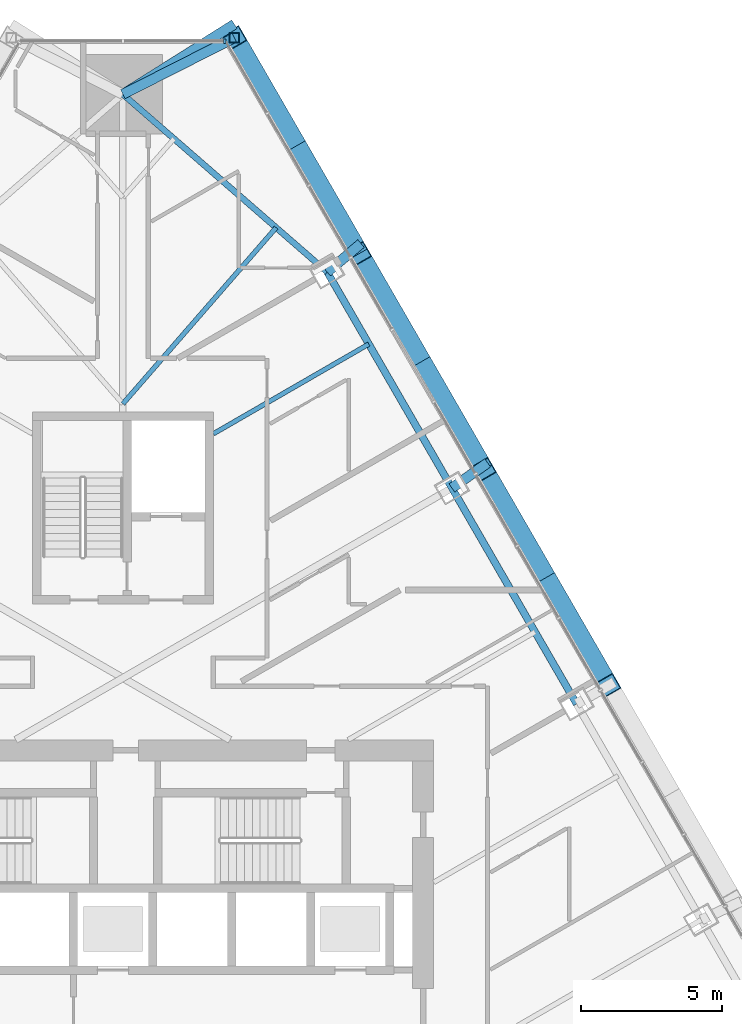
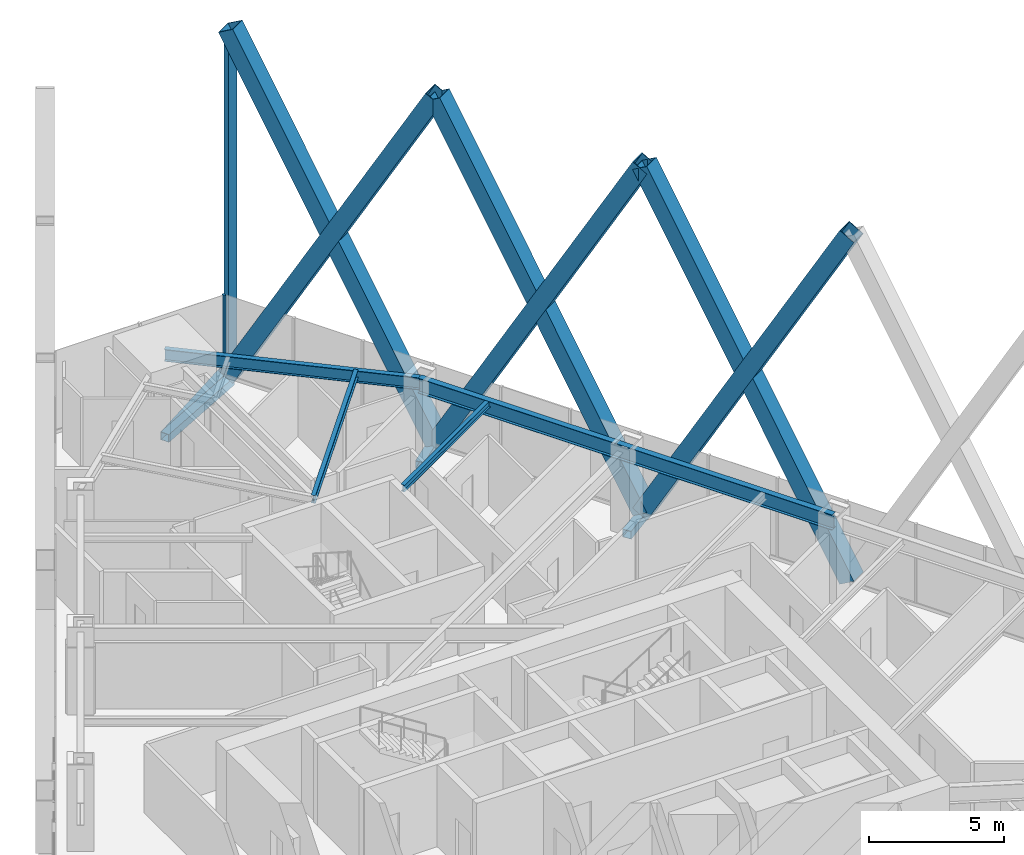
# One storey, part 11 of 19: 12 members, 4 beams, 1 element without a shape of its own.
"""IFC4 building model written with IfcOpenShell, lengths in metres."""

from ifc_helpers import new_model, si_unit, direction, frame, origin, origin_2d, place, context, subcontext, project, spatial, rectangle, hollow_rectangle, i_section, extrude, material, layer, layer_set, material_profile, profile_set, type_object, element, aggregate, save


model = new_model("IFC4")

# Units and contexts
model_context = context("Model", 3, precision=1e-05, world=origin(), true_north=direction((0.0, 1.0)))
body_context = subcontext(model_context, "Body", "Model", "MODEL_VIEW")
ifc_project = project(units=[si_unit("LENGTHUNIT", "METRE"), si_unit("AREAUNIT", "SQUARE_METRE"), si_unit("VOLUMEUNIT", "CUBIC_METRE"), si_unit("PLANEANGLEUNIT", "RADIAN"), si_unit("MASSUNIT", "GRAM", prefix="KILO")], contexts=[model_context])

# Site, building, storey
site_placement = place(None, origin())
site = spatial("IfcSite", under=ifc_project, at=site_placement, CompositionType="ELEMENT")
building_placement = place(site_placement, origin())
building = spatial("IfcBuilding", under=site, at=building_placement, Name="Firuza Gate Tower and Library", CompositionType="ELEMENT")
storey_placement = place(building_placement, frame((0.0, 0.0, 187.0)))
storey = spatial("IfcBuildingStorey", under=building, at=storey_placement, Name="L43", CompositionType="ELEMENT", Elevation=187.0)

# Members
ifc_material_1 = material(Name="Steel S355", Category="steel")
ifc_material_profile_1 = material_profile(ifc_material_1, hollow_rectangle(XDim=0.699951171875, YDim=0.699951171875, WallThickness=0.030029296875, at=origin_2d()))
ifc_profile_set_1 = profile_set([ifc_material_profile_1], Name="Steel S355")
member_type_1 = type_object("IfcMemberType", Name="BU700x700x30 Lattice brace", PredefinedType="BRACE", material=ifc_profile_set_1)
for number, where, z_axis, x_axis, name in (
    (1, (92.18212890625, 84.920166015625, 0.0), (-0.246161322195, 0.426365413352, 0.870412050556), (-0.866026163676, -0.499998683827, 0.0), "Lattice brace E 10.4R"),
    (2, (87.770263671875, 92.561767578125, 0.0), (0.246161322195, -0.426365413352, 0.870412050556), (0.866026163676, 0.499998683827, 0.0), "Lattice brace E 10.4L"),
):
    element("IfcMember", number, at=place(storey_placement, frame(where, z_axis=z_axis, x_axis=x_axis)), inside=storey, type_object=member_type_1, Name=name, PredefinedType="BRACE", context=body_context, shape_type="SweptSolid", body=[
        extrude(hollow_rectangle(XDim=0.699951171875, YDim=0.699951171875, WallThickness=0.030029296875, at=origin_2d()), origin(), (0.0, 0.0, 1.0), 17.922607421875),
    ])
for number, where, z_axis, x_axis, name in (
    (3, (87.770263671875, 92.561767578125, 0.0), (-0.246159892502, 0.426376558863, 0.870406995247), (-0.866033080533, -0.499986703246, 0.0), "Lattice brace E 10.5R"),
    (4, (83.3583984375, 100.20361328125, 0.0), (0.246159892502, -0.426376558863, 0.870406995247), (0.866033080533, 0.499986703246, 0.0), "Lattice brace E 10.5L"),
):
    element("IfcMember", number, at=place(storey_placement, frame(where, z_axis=z_axis, x_axis=x_axis)), inside=storey, type_object=member_type_1, Name=name, PredefinedType="BRACE", context=body_context, shape_type="SweptSolid", body=[
        extrude(hollow_rectangle(XDim=0.699951171875, YDim=0.699951171875, WallThickness=0.030029296875, at=origin_2d()), origin(), (0.0, 0.0, 1.0), 17.9228515625),
    ])
for number, where, z_axis, x_axis, name in (
    (5, (83.3583984375, 100.20361328125, 0.0), (-0.246174118604, 0.426363983638, 0.870409131837), (-0.866014182773, -0.500019434859, 0.0), "Lattice brace E 10.6R"),
    (6, (78.9462890625, 107.84521484375, 0.0), (0.246174118604, -0.426363983638, 0.870409131837), (0.866014182773, 0.500019434859, 0.0), "Lattice brace E 10.6L"),
):
    element("IfcMember", number, at=place(storey_placement, frame(where, z_axis=z_axis, x_axis=x_axis)), inside=storey, type_object=member_type_1, Name=name, PredefinedType="BRACE", context=body_context, shape_type="SweptSolid", body=[
        extrude(hollow_rectangle(XDim=0.699951171875, YDim=0.699951171875, WallThickness=0.030029296875, at=origin_2d()), origin(), (0.0, 0.0, 1.0), 17.922607421875),
    ])

# Curtain wall, member
ifc_material_2 = material(Name="Aluminium 6063-T6", Category="aluminium")
ifc_layer = layer(ifc_material_2, 0.14990234375)
ifc_layer_set = layer_set([ifc_layer], Name="Corner curtain wall, chamfers")
curtain_wall_type = type_object("IfcCurtainWallType", Name="Corner curtain wall, chamfers", PredefinedType="NOTDEFINED", material=ifc_layer_set)
curtain_wall_placement = place(storey_placement, origin())
curtain_wall = element("IfcCurtainWall", 7, at=curtain_wall_placement, inside=storey, type_object=curtain_wall_type, Name="CW4 L43 N corner", PredefinedType="NOTDEFINED")
ifc_material_3 = material(Name="Aluminium 6063-T6", Category="aluminium")
ifc_material_profile_2 = material_profile(ifc_material_3, rectangle(XDim=0.14990234375, YDim=0.080078125, at=origin_2d()))
ifc_profile_set_2 = profile_set([ifc_material_profile_2], Name="Aluminium 6063-T6")
member_type_2 = type_object("IfcMemberType", Name="Curtain wall mullion 80x150", PredefinedType="MULLION", material=ifc_profile_set_2)
member_1_placement = place(storey_placement, frame((78.603271484375, 107.72021484375, 0.14990234375), z_axis=(0.0, 0.0, 1.0), x_axis=(0.0, -1.0, 0.0)))
member_1 = element("IfcMember", 8, at=member_1_placement, type_object=member_type_2, Name="Mullion", PredefinedType="MULLION", context=body_context, shape_type="SweptSolid", body=[
    extrude(rectangle(XDim=0.14990234375, YDim=0.080078125, at=origin_2d()), origin(), (0.0, 0.0, 1.0), 3.550048828125),
])
aggregate(curtain_wall, [member_1])

# Members
ifc_material_4 = material(Name="Steel S355", Category="steel")
ifc_material_profile_3 = material_profile(ifc_material_4, hollow_rectangle(XDim=0.355712890625, YDim=0.355712890625, WallThickness=0.014892578125, at=origin_2d()))
ifc_profile_set_3 = profile_set([ifc_material_profile_3], Name="Steel S355")
member_type_3 = type_object("IfcMemberType", Name="HSS356x356x16 Lattice corner stile", PredefinedType="BRACE", material=ifc_profile_set_3)
member_2_placement = place(storey_placement, frame((78.9462890625, 107.84521484375, -0.139892578125), z_axis=(0.0, 0.0, 1.0), x_axis=(1.0, 0.0, 0.0)))
element("IfcMember", 9, at=member_2_placement, inside=storey, type_object=member_type_3, Name="Lattice corner stile E 10.B", PredefinedType="BRACE", context=body_context, shape_type="SweptSolid", body=[
    extrude(hollow_rectangle(XDim=0.355712890625, YDim=0.355712890625, WallThickness=0.014892578125, at=origin_2d()), origin(), (0.0, 0.0, 1.0), 15.239990234375),
])
ifc_material_5 = material(Name="Steel S355", Category="steel")
ifc_material_profile_4 = material_profile(ifc_material_5, hollow_rectangle(XDim=0.355712890625, YDim=0.355712890625, WallThickness=0.014892578125, at=origin_2d()))
ifc_profile_set_4 = profile_set([ifc_material_profile_4], Name="Steel S355")
member_type_4 = type_object("IfcMemberType", Name="HSS356x356x16 Lattice node tie", PredefinedType="BRACE", material=ifc_profile_set_4)
member_3_placement = place(storey_placement, frame((75.0, 105.84521484375, -0.320068359375), z_axis=(0.846854320975, 0.531824932704, 0.0), x_axis=(-0.531824932704, 0.846854320975, 0.0)))
element("IfcMember", 10, at=member_3_placement, inside=storey, type_object=member_type_4, Name="Lattice node tie E L43 202", PredefinedType="BRACE", context=body_context, shape_type="SweptSolid", body=[
    extrude(hollow_rectangle(XDim=0.355712890625, YDim=0.355712890625, WallThickness=0.014892578125, at=origin_2d()), origin(), (0.0, 0.0, 1.0), 4.659912109375),
])
member_4_placement = place(storey_placement, frame((75.0, 105.84521484375, -0.320068359375), z_axis=(0.891985934506, 0.452063151168, 0.0), x_axis=(-0.452063151168, 0.891985934506, 0.0)))
element("IfcMember", 11, at=member_4_placement, inside=storey, type_object=member_type_4, Name="Lattice node tie E L43 203", PredefinedType="BRACE", context=body_context, shape_type="SweptSolid", body=[
    extrude(hollow_rectangle(XDim=0.355712890625, YDim=0.355712890625, WallThickness=0.014892578125, at=origin_2d()), origin(), (0.0, 0.0, 1.0), 4.424072265625),
])
member_5_placement = place(storey_placement, frame((82.232421875, 99.553466796875, -0.320068359375), z_axis=(0.764149605145, 0.645039053822, 0.0), x_axis=(-0.645039053822, 0.764149605145, 0.0)))
element("IfcMember", 12, at=member_5_placement, inside=storey, type_object=member_type_4, Name="Lattice node tie E L43 204", PredefinedType="BRACE", context=body_context, shape_type="SweptSolid", body=[
    extrude(hollow_rectangle(XDim=0.355712890625, YDim=0.355712890625, WallThickness=0.014892578125, at=origin_2d()), origin(), (0.0, 0.0, 1.0), 1.56396484375),
])
member_6_placement = place(storey_placement, frame((86.64453125, 91.911865234375, -0.320068359375), z_axis=(0.817886273366, 0.575379912613, 0.0), x_axis=(-0.575379912613, 0.817886273366, 0.0)))
element("IfcMember", 13, at=member_6_placement, inside=storey, type_object=member_type_4, Name="Lattice node tie E L43 205", PredefinedType="BRACE", context=body_context, shape_type="SweptSolid", body=[
    extrude(hollow_rectangle(XDim=0.355712890625, YDim=0.355712890625, WallThickness=0.014892578125, at=origin_2d()), origin(), (0.0, 0.0, 1.0), 1.54541015625),
])

# Beams
ifc_material_6 = material(Name="Steel S355", Category="steel")
ifc_material_profile_5 = material_profile(ifc_material_6, i_section(OverallWidth=0.1650390625, OverallDepth=0.31005859375, WebThickness=0.005859375, FlangeThickness=0.009765625, at=origin_2d()))
ifc_profile_set_5 = profile_set([ifc_material_profile_5], Name="Steel S355")
beam_type_1 = type_object("IfcBeamType", Name="W310x39 Floor beam", PredefinedType="JOIST", material=ifc_profile_set_5)
beam_1_placement = place(storey_placement, frame((83.703125, 97.00634765625, 3.544921875), z_axis=(-0.866026275825, -0.499998489578, 0.0), x_axis=(0.499998489578, -0.866026275825, 0.0)))
element("IfcBeam", 14, at=beam_1_placement, inside=storey, type_object=beam_type_1, Name="Floor beam L43 s55", PredefinedType="JOIST", context=body_context, shape_type="SweptSolid", body=[
    extrude(i_section(OverallWidth=0.1650390625, OverallDepth=0.31005859375, WebThickness=0.005859375, FlangeThickness=0.009765625, at=origin_2d()), origin(), (0.0, 0.0, 1.0), 6.3544921875),
])
ifc_material_7 = material(Name="Steel S355", Category="steel")
ifc_material_profile_6 = material_profile(ifc_material_7, i_section(OverallWidth=0.1708984375, OverallDepth=0.35498046875, WebThickness=0.007080078125, FlangeThickness=0.01171875, at=origin_2d()))
ifc_profile_set_6 = profile_set([ifc_material_profile_6], Name="Steel S355")
beam_type_2 = type_object("IfcBeamType", Name="W360x51 Floor beam", PredefinedType="JOIST", material=ifc_profile_set_6)
beam_2_placement = place(storey_placement, frame((80.42431640625, 101.12646484375, 3.5224609375), z_axis=(-0.656320584547, -0.754482133851, 0.0), x_axis=(0.754482133851, -0.656320584547, 0.0)))
element("IfcBeam", 15, at=beam_2_placement, inside=storey, type_object=beam_type_2, Name="Floor beam L43 s60", PredefinedType="JOIST", context=body_context, shape_type="SweptSolid", body=[
    extrude(i_section(OverallWidth=0.1708984375, OverallDepth=0.35498046875, WebThickness=0.007080078125, FlangeThickness=0.01171875, at=origin_2d()), origin(), (0.0, 0.0, 1.0), 8.2646484375),
])
ifc_material_8 = material(Name="Steel S355", Category="steel")
ifc_material_profile_7 = material_profile(ifc_material_8, i_section(OverallWidth=0.212890625, OverallDepth=0.5390625, WebThickness=0.01171875, FlangeThickness=0.018798828125, at=origin_2d()))
ifc_profile_set_7 = profile_set([ifc_material_profile_7], Name="Steel S355")
beam_type_3 = type_object("IfcBeamType", Name="W530x109 Edge beam", PredefinedType="SPANDREL", material=ifc_profile_set_7)
beam_3_placement = place(storey_placement, frame((82.232421875, 99.553466796875, 3.430419921875), z_axis=(-0.754466787809, 0.656338225379, 0.0), x_axis=(-0.656338225379, -0.754466787809, 0.0)))
element("IfcBeam", 16, at=beam_3_placement, inside=storey, type_object=beam_type_3, Name="Edge beam L43 e60", PredefinedType="SPANDREL", context=body_context, shape_type="SweptSolid", body=[
    extrude(i_section(OverallWidth=0.212890625, OverallDepth=0.5390625, WebThickness=0.01171875, FlangeThickness=0.018798828125, at=origin_2d()), origin(), (0.0, 0.0, 1.0), 9.586181640625),
])
ifc_material_9 = material(Name="Steel S355", Category="steel")
ifc_material_profile_8 = material_profile(ifc_material_9, i_section(OverallWidth=0.2529296875, OverallDepth=0.677978515625, WebThickness=0.01171875, FlangeThickness=0.016357421875, at=origin_2d()))
ifc_profile_set_8 = profile_set([ifc_material_profile_8], Name="Steel S355")
beam_type_4 = type_object("IfcBeamType", Name="W690x125 Edge beam", PredefinedType="SPANDREL", material=ifc_profile_set_8)
beam_4_placement = place(storey_placement, frame((91.056396484375, 84.270263671875, 3.361083984375), z_axis=(-0.50000905945, 0.866020173245, 0.0), x_axis=(-0.866020173245, -0.50000905945, 0.0)))
element("IfcBeam", 17, at=beam_4_placement, inside=storey, type_object=beam_type_4, Name="Edge beam L43 e52", PredefinedType="SPANDREL", context=body_context, shape_type="SweptSolid", body=[
    extrude(i_section(OverallWidth=0.2529296875, OverallDepth=0.677978515625, WebThickness=0.01171875, FlangeThickness=0.016357421875, at=origin_2d()), origin(), (0.0, 0.0, 1.0), 17.647705078125),
])

save(model, "model.ifc")
